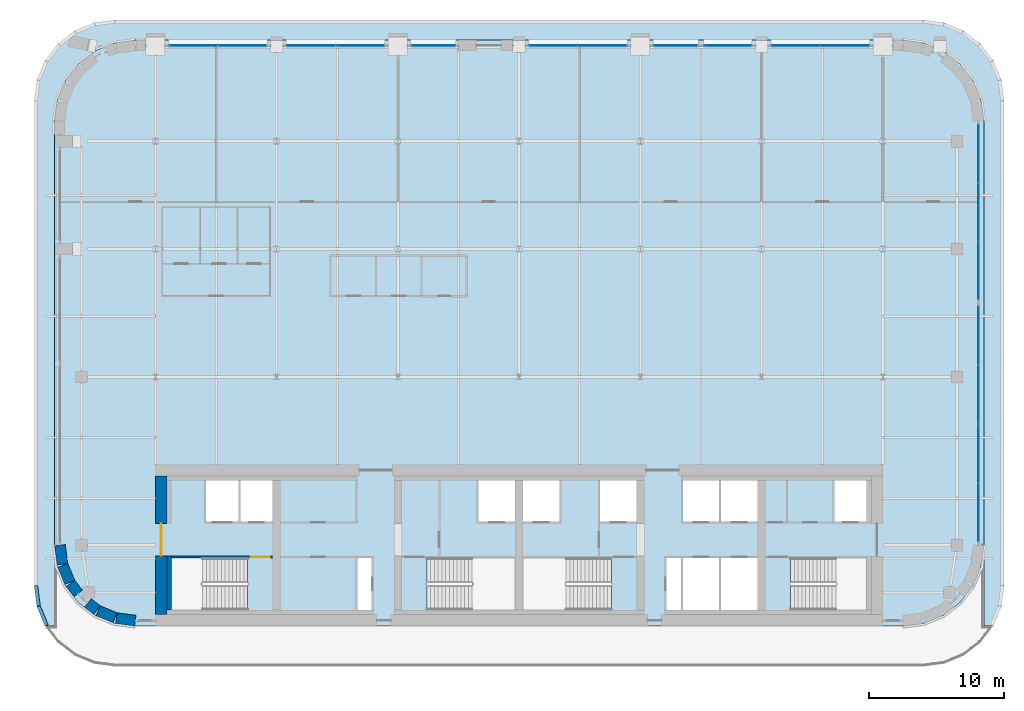
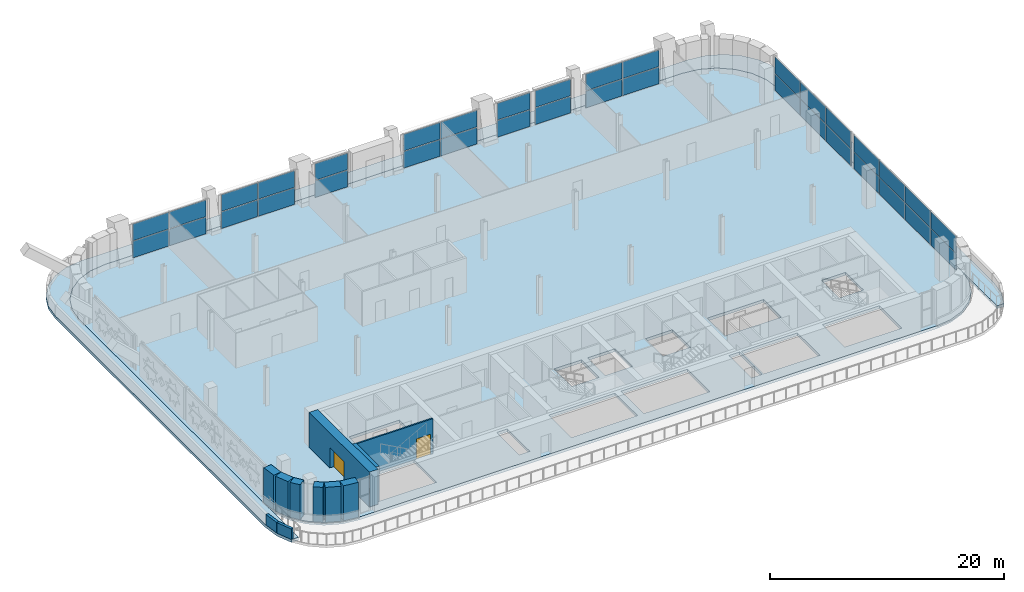
# One storey, part 12 of 23: 36 plates, 11 walls, 2 doors, 2 slabs, 2 openings, 9 elements without a shape of their own.
"""IFC4 building model written with IfcOpenShell, lengths in metres."""

from ifc_helpers import new_model, si_unit, direction, frame, frame_2d, origin, origin_2d, place, context, subcontext, project, spatial, polyline, rectangle, outline, extrude, material, layer, layer_set, type_object, element, fill, aggregate, save


model = new_model("IFC4")

# Units and contexts
model_context = context("Model", 3, precision=1e-05, world=origin(), true_north=direction((0.0, 1.0)))
body_context = subcontext(model_context, "Body", "Model", "MODEL_VIEW")
ifc_project = project(units=[si_unit("LENGTHUNIT", "METRE"), si_unit("AREAUNIT", "SQUARE_METRE"), si_unit("VOLUMEUNIT", "CUBIC_METRE"), si_unit("PLANEANGLEUNIT", "RADIAN"), si_unit("MASSUNIT", "GRAM", prefix="KILO")], contexts=[model_context])

# Site, building, storey
site_placement = place(None, origin())
site = spatial("IfcSite", under=ifc_project, at=site_placement, CompositionType="ELEMENT")
building_placement = place(site_placement, origin())
building = spatial("IfcBuilding", under=site, at=building_placement, Name="Zellij Exchange Tower", CompositionType="ELEMENT")
storey_placement = place(building_placement, frame((0.0, 0.0, 212.5)))
storey = spatial("IfcBuildingStorey", under=building, at=storey_placement, Name="L49", CompositionType="ELEMENT", Elevation=212.5)

# Curtain wall, plates
ifc_material_1 = material(Name="Aluminium frame, clear insulating glass", Category="aluminium")
curtain_wall_type = type_object("IfcCurtainWallType", Name="ENV-CW6 Sky-lobby glazing", PredefinedType="NOTDEFINED", material=ifc_material_1)
curtain_wall_1_placement = place(storey_placement, origin())
curtain_wall_1 = element("IfcCurtainWall", 1, at=curtain_wall_1_placement, inside=storey, type_object=curtain_wall_type, Name="cw.L49.07a", PredefinedType="NOTDEFINED")
ifc_material_2 = material(Name="Insulating glass unit, clear", Category="glass")
ifc_layer_1 = layer(ifc_material_2, 0.035888671875)
ifc_layer_set_1 = layer_set([ifc_layer_1], Name="Insulating glass unit, clear")
plate_type = type_object("IfcPlateType", Name="ENV-CW6P Glazed panel 36", PredefinedType="CURTAIN_PANEL", material=ifc_layer_set_1)
plate_1_placement = place(storey_placement, frame((34.10009765625, -5.5625, 0.06005859375), z_axis=(0.0, 0.0, 1.0), x_axis=(0.0, 1.0, 0.0)))
plate_1 = element("IfcPlate", 2, at=plate_1_placement, type_object=plate_type, Name="CW6 panel 1.1", PredefinedType="CURTAIN_PANEL", context=body_context, shape_type="SweptSolid", body=[
    extrude(rectangle(XDim=4.302490234375, YDim=0.035888671875, at=origin_2d()), origin(), (0.0, 0.0, 1.0), 1.735107421875),
])
plate_2_placement = place(storey_placement, frame((34.10009765625, -5.5625, 1.85498046875), z_axis=(0.0, 0.0, 1.0), x_axis=(0.0, 1.0, 0.0)))
plate_2 = element("IfcPlate", 3, at=plate_2_placement, type_object=plate_type, Name="CW6 panel 1.2", PredefinedType="CURTAIN_PANEL", context=body_context, shape_type="SweptSolid", body=[
    extrude(rectangle(XDim=4.302490234375, YDim=0.035888671875, at=origin_2d()), origin(), (0.0, 0.0, 1.0), 1.735107421875),
])
plate_3_placement = place(storey_placement, frame((34.10009765625, -1.18505859375, 0.06005859375), z_axis=(0.0, 0.0, 1.0), x_axis=(0.0, 1.0, 0.0)))
plate_3 = element("IfcPlate", 4, at=plate_3_placement, type_object=plate_type, Name="CW6 panel 2.1", PredefinedType="CURTAIN_PANEL", context=body_context, shape_type="SweptSolid", body=[
    extrude(rectangle(XDim=4.33251953125, YDim=0.035888671875, at=origin_2d()), origin(), (0.0, 0.0, 1.0), 1.735107421875),
])
plate_4_placement = place(storey_placement, frame((34.10009765625, -1.18505859375, 1.85498046875), z_axis=(0.0, 0.0, 1.0), x_axis=(0.0, 1.0, 0.0)))
plate_4 = element("IfcPlate", 5, at=plate_4_placement, type_object=plate_type, Name="CW6 panel 2.2", PredefinedType="CURTAIN_PANEL", context=body_context, shape_type="SweptSolid", body=[
    extrude(rectangle(XDim=4.33251953125, YDim=0.035888671875, at=origin_2d()), origin(), (0.0, 0.0, 1.0), 1.735107421875),
])
plate_5_placement = place(storey_placement, frame((34.10009765625, 3.20751953125, 0.06005859375), z_axis=(0.0, 0.0, 1.0), x_axis=(0.0, 1.0, 0.0)))
plate_5 = element("IfcPlate", 6, at=plate_5_placement, type_object=plate_type, Name="CW6 panel 3.1", PredefinedType="CURTAIN_PANEL", context=body_context, shape_type="SweptSolid", body=[
    extrude(rectangle(XDim=4.33251953125, YDim=0.035888671875, at=origin_2d()), origin(), (0.0, 0.0, 1.0), 1.735107421875),
])
plate_6_placement = place(storey_placement, frame((34.10009765625, 3.20751953125, 1.85498046875), z_axis=(0.0, 0.0, 1.0), x_axis=(0.0, 1.0, 0.0)))
plate_6 = element("IfcPlate", 7, at=plate_6_placement, type_object=plate_type, Name="CW6 panel 3.2", PredefinedType="CURTAIN_PANEL", context=body_context, shape_type="SweptSolid", body=[
    extrude(rectangle(XDim=4.33251953125, YDim=0.035888671875, at=origin_2d()), origin(), (0.0, 0.0, 1.0), 1.735107421875),
])
plate_7_placement = place(storey_placement, frame((34.10009765625, 7.5849609375, 0.06005859375), z_axis=(0.0, 0.0, 1.0), x_axis=(0.0, 1.0, 0.0)))
plate_7 = element("IfcPlate", 8, at=plate_7_placement, type_object=plate_type, Name="CW6 panel 4.1", PredefinedType="CURTAIN_PANEL", context=body_context, shape_type="SweptSolid", body=[
    extrude(rectangle(XDim=4.302490234375, YDim=0.035888671875, at=origin_2d()), origin(), (0.0, 0.0, 1.0), 1.735107421875),
])
plate_8_placement = place(storey_placement, frame((34.10009765625, 7.5849609375, 1.85498046875), z_axis=(0.0, 0.0, 1.0), x_axis=(0.0, 1.0, 0.0)))
plate_8 = element("IfcPlate", 9, at=plate_8_placement, type_object=plate_type, Name="CW6 panel 4.2", PredefinedType="CURTAIN_PANEL", context=body_context, shape_type="SweptSolid", body=[
    extrude(rectangle(XDim=4.302490234375, YDim=0.035888671875, at=origin_2d()), origin(), (0.0, 0.0, 1.0), 1.735107421875),
])
aggregate(curtain_wall_1, [plate_1, plate_2, plate_3, plate_4, plate_5, plate_6, plate_7, plate_8])

curtain_wall_2_placement = place(storey_placement, origin())
curtain_wall_2 = element("IfcCurtainWall", 10, at=curtain_wall_2_placement, inside=storey, type_object=curtain_wall_type, Name="cw.L49.07b", PredefinedType="NOTDEFINED")
plate_9_placement = place(storey_placement, frame((34.10009765625, 12.390869140625, 0.06005859375), z_axis=(0.0, 0.0, 1.0), x_axis=(0.0, 1.0, 0.0)))
plate_9 = element("IfcPlate", 11, at=plate_9_placement, type_object=plate_type, Name="CW6 panel 1.1", PredefinedType="CURTAIN_PANEL", context=body_context, shape_type="SweptSolid", body=[
    extrude(rectangle(XDim=4.269287109375, YDim=0.035888671875, at=origin_2d()), origin(), (0.0, 0.0, 1.0), 1.735107421875),
])
plate_10_placement = place(storey_placement, frame((34.10009765625, 12.390869140625, 1.85498046875), z_axis=(0.0, 0.0, 1.0), x_axis=(0.0, 1.0, 0.0)))
plate_10 = element("IfcPlate", 12, at=plate_10_placement, type_object=plate_type, Name="CW6 panel 1.2", PredefinedType="CURTAIN_PANEL", context=body_context, shape_type="SweptSolid", body=[
    extrude(rectangle(XDim=4.269287109375, YDim=0.035888671875, at=origin_2d()), origin(), (0.0, 0.0, 1.0), 1.735107421875),
])
plate_11_placement = place(storey_placement, frame((34.10009765625, 16.735107421875, 0.06005859375), z_axis=(0.0, 0.0, 1.0), x_axis=(0.0, 1.0, 0.0)))
plate_11 = element("IfcPlate", 13, at=plate_11_placement, type_object=plate_type, Name="CW6 panel 2.1", PredefinedType="CURTAIN_PANEL", context=body_context, shape_type="SweptSolid", body=[
    extrude(rectangle(XDim=4.29931640625, YDim=0.035888671875, at=origin_2d()), origin(), (0.0, 0.0, 1.0), 1.735107421875),
])
plate_12_placement = place(storey_placement, frame((34.10009765625, 16.735107421875, 1.85498046875), z_axis=(0.0, 0.0, 1.0), x_axis=(0.0, 1.0, 0.0)))
plate_12 = element("IfcPlate", 14, at=plate_12_placement, type_object=plate_type, Name="CW6 panel 2.2", PredefinedType="CURTAIN_PANEL", context=body_context, shape_type="SweptSolid", body=[
    extrude(rectangle(XDim=4.29931640625, YDim=0.035888671875, at=origin_2d()), origin(), (0.0, 0.0, 1.0), 1.735107421875),
])
plate_13_placement = place(storey_placement, frame((34.10009765625, 21.0791015625, 0.06005859375), z_axis=(0.0, 0.0, 1.0), x_axis=(0.0, 1.0, 0.0)))
plate_13 = element("IfcPlate", 15, at=plate_13_placement, type_object=plate_type, Name="CW6 panel 3.1", PredefinedType="CURTAIN_PANEL", context=body_context, shape_type="SweptSolid", body=[
    extrude(rectangle(XDim=4.269287109375, YDim=0.035888671875, at=origin_2d()), origin(), (0.0, 0.0, 1.0), 1.735107421875),
])
plate_14_placement = place(storey_placement, frame((34.10009765625, 21.0791015625, 1.85498046875), z_axis=(0.0, 0.0, 1.0), x_axis=(0.0, 1.0, 0.0)))
plate_14 = element("IfcPlate", 16, at=plate_14_placement, type_object=plate_type, Name="CW6 panel 3.2", PredefinedType="CURTAIN_PANEL", context=body_context, shape_type="SweptSolid", body=[
    extrude(rectangle(XDim=4.269287109375, YDim=0.035888671875, at=origin_2d()), origin(), (0.0, 0.0, 1.0), 1.735107421875),
])
aggregate(curtain_wall_2, [plate_9, plate_10, plate_11, plate_12, plate_13, plate_14])

curtain_wall_3_placement = place(storey_placement, origin())
curtain_wall_3 = element("IfcCurtainWall", 17, at=curtain_wall_3_placement, inside=storey, type_object=curtain_wall_type, Name="cw.L49.14b", PredefinedType="NOTDEFINED")
plate_15_placement = place(storey_placement, frame((24.197509765625, 29.10009765625, 0.06005859375), z_axis=(0.0, 0.0, 1.0), x_axis=(-1.0, 0.0, 0.0)))
plate_15 = element("IfcPlate", 18, at=plate_15_placement, type_object=plate_type, Name="CW6 panel 1.1", PredefinedType="CURTAIN_PANEL", context=body_context, shape_type="SweptSolid", body=[
    extrude(rectangle(XDim=3.5849609375, YDim=0.035888671875, at=origin_2d()), origin(), (0.0, 0.0, 1.0), 1.735107421875),
])
plate_16_placement = place(storey_placement, frame((24.197509765625, 29.10009765625, 1.85498046875), z_axis=(0.0, 0.0, 1.0), x_axis=(-1.0, 0.0, 0.0)))
plate_16 = element("IfcPlate", 19, at=plate_16_placement, type_object=plate_type, Name="CW6 panel 1.2", PredefinedType="CURTAIN_PANEL", context=body_context, shape_type="SweptSolid", body=[
    extrude(rectangle(XDim=3.5849609375, YDim=0.035888671875, at=origin_2d()), origin(), (0.0, 0.0, 1.0), 1.735107421875),
])
plate_17_placement = place(storey_placement, frame((20.552490234375, 29.10009765625, 0.06005859375), z_axis=(0.0, 0.0, 1.0), x_axis=(-1.0, 0.0, 0.0)))
plate_17 = element("IfcPlate", 20, at=plate_17_placement, type_object=plate_type, Name="CW6 panel 2.1", PredefinedType="CURTAIN_PANEL", context=body_context, shape_type="SweptSolid", body=[
    extrude(rectangle(XDim=3.5849609375, YDim=0.035888671875, at=origin_2d()), origin(), (0.0, 0.0, 1.0), 1.735107421875),
])
plate_18_placement = place(storey_placement, frame((20.552490234375, 29.10009765625, 1.85498046875), z_axis=(0.0, 0.0, 1.0), x_axis=(-1.0, 0.0, 0.0)))
plate_18 = element("IfcPlate", 21, at=plate_18_placement, type_object=plate_type, Name="CW6 panel 2.2", PredefinedType="CURTAIN_PANEL", context=body_context, shape_type="SweptSolid", body=[
    extrude(rectangle(XDim=3.5849609375, YDim=0.035888671875, at=origin_2d()), origin(), (0.0, 0.0, 1.0), 1.735107421875),
])
aggregate(curtain_wall_3, [plate_15, plate_16, plate_17, plate_18])

curtain_wall_4_placement = place(storey_placement, origin())
curtain_wall_4 = element("IfcCurtainWall", 22, at=curtain_wall_4_placement, inside=storey, type_object=curtain_wall_type, Name="cw.L49.14c", PredefinedType="NOTDEFINED")
plate_19_placement = place(storey_placement, frame((15.5, 29.10009765625, 0.06005859375), z_axis=(0.0, 0.0, 1.0), x_axis=(-1.0, 0.0, 0.0)))
plate_19 = element("IfcPlate", 23, at=plate_19_placement, type_object=plate_type, Name="CW6 panel 1.1", PredefinedType="CURTAIN_PANEL", context=body_context, shape_type="SweptSolid", body=[
    extrude(rectangle(XDim=3.47998046875, YDim=0.035888671875, at=origin_2d()), origin(), (0.0, 0.0, 1.0), 1.735107421875),
])
plate_20_placement = place(storey_placement, frame((15.5, 29.10009765625, 1.85498046875), z_axis=(0.0, 0.0, 1.0), x_axis=(-1.0, 0.0, 0.0)))
plate_20 = element("IfcPlate", 24, at=plate_20_placement, type_object=plate_type, Name="CW6 panel 1.2", PredefinedType="CURTAIN_PANEL", context=body_context, shape_type="SweptSolid", body=[
    extrude(rectangle(XDim=3.47998046875, YDim=0.035888671875, at=origin_2d()), origin(), (0.0, 0.0, 1.0), 1.735107421875),
])
aggregate(curtain_wall_4, [plate_19, plate_20])

curtain_wall_5_placement = place(storey_placement, origin())
curtain_wall_5 = element("IfcCurtainWall", 25, at=curtain_wall_5_placement, inside=storey, type_object=curtain_wall_type, Name="cw.L49.14d", PredefinedType="NOTDEFINED")
plate_21_placement = place(storey_placement, frame((11.625, 29.10009765625, 0.06005859375), z_axis=(0.0, 0.0, 1.0), x_axis=(-1.0, 0.0, 0.0)))
plate_21 = element("IfcPlate", 26, at=plate_21_placement, type_object=plate_type, Name="CW6 panel 1.1", PredefinedType="CURTAIN_PANEL", context=body_context, shape_type="SweptSolid", body=[
    extrude(rectangle(XDim=3.22998046875, YDim=0.035888671875, at=origin_2d()), origin(), (0.0, 0.0, 1.0), 1.735107421875),
])
plate_22_placement = place(storey_placement, frame((11.625, 29.10009765625, 1.85498046875), z_axis=(0.0, 0.0, 1.0), x_axis=(-1.0, 0.0, 0.0)))
plate_22 = element("IfcPlate", 27, at=plate_22_placement, type_object=plate_type, Name="CW6 panel 1.2", PredefinedType="CURTAIN_PANEL", context=body_context, shape_type="SweptSolid", body=[
    extrude(rectangle(XDim=3.22998046875, YDim=0.035888671875, at=origin_2d()), origin(), (0.0, 0.0, 1.0), 1.735107421875),
])
aggregate(curtain_wall_5, [plate_21, plate_22])

curtain_wall_6_placement = place(storey_placement, origin())
curtain_wall_6 = element("IfcCurtainWall", 28, at=curtain_wall_6_placement, inside=storey, type_object=curtain_wall_type, Name="cw.L49.14e", PredefinedType="NOTDEFINED")
plate_23_placement = place(storey_placement, frame((6.197509765625, 29.10009765625, 0.06005859375), z_axis=(0.0, 0.0, 1.0), x_axis=(-1.0, 0.0, 0.0)))
plate_23 = element("IfcPlate", 29, at=plate_23_placement, type_object=plate_type, Name="CW6 panel 1.1", PredefinedType="CURTAIN_PANEL", context=body_context, shape_type="SweptSolid", body=[
    extrude(rectangle(XDim=3.5849609375, YDim=0.035888671875, at=origin_2d()), origin(), (0.0, 0.0, 1.0), 1.735107421875),
])
plate_24_placement = place(storey_placement, frame((6.197509765625, 29.10009765625, 1.85498046875), z_axis=(0.0, 0.0, 1.0), x_axis=(-1.0, 0.0, 0.0)))
plate_24 = element("IfcPlate", 30, at=plate_24_placement, type_object=plate_type, Name="CW6 panel 1.2", PredefinedType="CURTAIN_PANEL", context=body_context, shape_type="SweptSolid", body=[
    extrude(rectangle(XDim=3.5849609375, YDim=0.035888671875, at=origin_2d()), origin(), (0.0, 0.0, 1.0), 1.735107421875),
])
plate_25_placement = place(storey_placement, frame((2.552490234375, 29.10009765625, 0.06005859375), z_axis=(0.0, 0.0, 1.0), x_axis=(-1.0, 0.0, 0.0)))
plate_25 = element("IfcPlate", 31, at=plate_25_placement, type_object=plate_type, Name="CW6 panel 2.1", PredefinedType="CURTAIN_PANEL", context=body_context, shape_type="SweptSolid", body=[
    extrude(rectangle(XDim=3.5849609375, YDim=0.035888671875, at=origin_2d()), origin(), (0.0, 0.0, 1.0), 1.735107421875),
])
plate_26_placement = place(storey_placement, frame((2.552490234375, 29.10009765625, 1.85498046875), z_axis=(0.0, 0.0, 1.0), x_axis=(-1.0, 0.0, 0.0)))
plate_26 = element("IfcPlate", 32, at=plate_26_placement, type_object=plate_type, Name="CW6 panel 2.2", PredefinedType="CURTAIN_PANEL", context=body_context, shape_type="SweptSolid", body=[
    extrude(rectangle(XDim=3.5849609375, YDim=0.035888671875, at=origin_2d()), origin(), (0.0, 0.0, 1.0), 1.735107421875),
])
aggregate(curtain_wall_6, [plate_23, plate_24, plate_25, plate_26])

curtain_wall_7_placement = place(storey_placement, origin())
curtain_wall_7 = element("IfcCurtainWall", 33, at=curtain_wall_7_placement, inside=storey, type_object=curtain_wall_type, Name="cw.L49.14g", PredefinedType="NOTDEFINED")
plate_27_placement = place(storey_placement, frame((-6.375, 29.10009765625, 0.06005859375), z_axis=(0.0, 0.0, 1.0), x_axis=(-1.0, 0.0, 0.0)))
plate_27 = element("IfcPlate", 34, at=plate_27_placement, type_object=plate_type, Name="CW6 panel 1.1", PredefinedType="CURTAIN_PANEL", context=body_context, shape_type="SweptSolid", body=[
    extrude(rectangle(XDim=3.22998046875, YDim=0.035888671875, at=origin_2d()), origin(), (0.0, 0.0, 1.0), 1.735107421875),
])
plate_28_placement = place(storey_placement, frame((-6.375, 29.10009765625, 1.85498046875), z_axis=(0.0, 0.0, 1.0), x_axis=(-1.0, 0.0, 0.0)))
plate_28 = element("IfcPlate", 35, at=plate_28_placement, type_object=plate_type, Name="CW6 panel 1.2", PredefinedType="CURTAIN_PANEL", context=body_context, shape_type="SweptSolid", body=[
    extrude(rectangle(XDim=3.22998046875, YDim=0.035888671875, at=origin_2d()), origin(), (0.0, 0.0, 1.0), 1.735107421875),
])
aggregate(curtain_wall_7, [plate_27, plate_28])

curtain_wall_8_placement = place(storey_placement, origin())
curtain_wall_8 = element("IfcCurtainWall", 36, at=curtain_wall_8_placement, inside=storey, type_object=curtain_wall_type, Name="cw.L49.14h", PredefinedType="NOTDEFINED")
plate_29_placement = place(storey_placement, frame((-11.802490234375, 29.10009765625, 0.06005859375), z_axis=(0.0, 0.0, 1.0), x_axis=(-1.0, 0.0, 0.0)))
plate_29 = element("IfcPlate", 37, at=plate_29_placement, type_object=plate_type, Name="CW6 panel 1.1", PredefinedType="CURTAIN_PANEL", context=body_context, shape_type="SweptSolid", body=[
    extrude(rectangle(XDim=3.5849609375, YDim=0.035888671875, at=origin_2d()), origin(), (0.0, 0.0, 1.0), 1.735107421875),
])
plate_30_placement = place(storey_placement, frame((-11.802490234375, 29.10009765625, 1.85498046875), z_axis=(0.0, 0.0, 1.0), x_axis=(-1.0, 0.0, 0.0)))
plate_30 = element("IfcPlate", 38, at=plate_30_placement, type_object=plate_type, Name="CW6 panel 1.2", PredefinedType="CURTAIN_PANEL", context=body_context, shape_type="SweptSolid", body=[
    extrude(rectangle(XDim=3.5849609375, YDim=0.035888671875, at=origin_2d()), origin(), (0.0, 0.0, 1.0), 1.735107421875),
])
plate_31_placement = place(storey_placement, frame((-15.447509765625, 29.10009765625, 0.06005859375), z_axis=(0.0, 0.0, 1.0), x_axis=(-1.0, 0.0, 0.0)))
plate_31 = element("IfcPlate", 39, at=plate_31_placement, type_object=plate_type, Name="CW6 panel 2.1", PredefinedType="CURTAIN_PANEL", context=body_context, shape_type="SweptSolid", body=[
    extrude(rectangle(XDim=3.5849609375, YDim=0.035888671875, at=origin_2d()), origin(), (0.0, 0.0, 1.0), 1.735107421875),
])
plate_32_placement = place(storey_placement, frame((-15.447509765625, 29.10009765625, 1.85498046875), z_axis=(0.0, 0.0, 1.0), x_axis=(-1.0, 0.0, 0.0)))
plate_32 = element("IfcPlate", 40, at=plate_32_placement, type_object=plate_type, Name="CW6 panel 2.2", PredefinedType="CURTAIN_PANEL", context=body_context, shape_type="SweptSolid", body=[
    extrude(rectangle(XDim=3.5849609375, YDim=0.035888671875, at=origin_2d()), origin(), (0.0, 0.0, 1.0), 1.735107421875),
])
aggregate(curtain_wall_8, [plate_29, plate_30, plate_31, plate_32])

curtain_wall_9_placement = place(storey_placement, origin())
curtain_wall_9 = element("IfcCurtainWall", 41, at=curtain_wall_9_placement, inside=storey, type_object=curtain_wall_type, Name="cw.L49.14i", PredefinedType="NOTDEFINED")
plate_33_placement = place(storey_placement, frame((-20.552490234375, 29.10009765625, 0.06005859375), z_axis=(0.0, 0.0, 1.0), x_axis=(-1.0, 0.0, 0.0)))
plate_33 = element("IfcPlate", 42, at=plate_33_placement, type_object=plate_type, Name="CW6 panel 1.1", PredefinedType="CURTAIN_PANEL", context=body_context, shape_type="SweptSolid", body=[
    extrude(rectangle(XDim=3.5849609375, YDim=0.035888671875, at=origin_2d()), origin(), (0.0, 0.0, 1.0), 1.735107421875),
])
plate_34_placement = place(storey_placement, frame((-20.552490234375, 29.10009765625, 1.85498046875), z_axis=(0.0, 0.0, 1.0), x_axis=(-1.0, 0.0, 0.0)))
plate_34 = element("IfcPlate", 43, at=plate_34_placement, type_object=plate_type, Name="CW6 panel 1.2", PredefinedType="CURTAIN_PANEL", context=body_context, shape_type="SweptSolid", body=[
    extrude(rectangle(XDim=3.5849609375, YDim=0.035888671875, at=origin_2d()), origin(), (0.0, 0.0, 1.0), 1.735107421875),
])
plate_35_placement = place(storey_placement, frame((-24.197509765625, 29.10009765625, 0.06005859375), z_axis=(0.0, 0.0, 1.0), x_axis=(-1.0, 0.0, 0.0)))
plate_35 = element("IfcPlate", 44, at=plate_35_placement, type_object=plate_type, Name="CW6 panel 2.1", PredefinedType="CURTAIN_PANEL", context=body_context, shape_type="SweptSolid", body=[
    extrude(rectangle(XDim=3.5849609375, YDim=0.035888671875, at=origin_2d()), origin(), (0.0, 0.0, 1.0), 1.735107421875),
])
plate_36_placement = place(storey_placement, frame((-24.197509765625, 29.10009765625, 1.85498046875), z_axis=(0.0, 0.0, 1.0), x_axis=(-1.0, 0.0, 0.0)))
plate_36 = element("IfcPlate", 45, at=plate_36_placement, type_object=plate_type, Name="CW6 panel 2.2", PredefinedType="CURTAIN_PANEL", context=body_context, shape_type="SweptSolid", body=[
    extrude(rectangle(XDim=3.5849609375, YDim=0.035888671875, at=origin_2d()), origin(), (0.0, 0.0, 1.0), 1.735107421875),
])
aggregate(curtain_wall_9, [plate_33, plate_34, plate_35, plate_36])

# Slabs
ifc_material_3 = material(Name="Concrete C40/50", Category="concrete")
ifc_layer_2 = layer(ifc_material_3, 0.300048828125)
ifc_layer_set_2 = layer_set([ifc_layer_2], Name="Concrete C40/50")
slab_type_1 = type_object("IfcSlabType", Name="ENV-LEDGE SLAB 300 C40/50", PredefinedType="ROOF", material=ifc_layer_set_2)
slab_1_placement = place(storey_placement, frame((0.0, 0.0, -0.300048828125)))
element("IfcSlab", 46, at=slab_1_placement, inside=storey, type_object=slab_type_1, Name="Ledge slab L49", PredefinedType="ROOF", context=body_context, shape_type="SweptSolid", body=[
    extrude(outline(polyline([(-36.0, -11.0), (-35.795654296875, -12.552978515625), (-35.1962890625, -14.0), (-34.5, -14.0), (-34.5, 23.5), (-34.295654296875, 25.052978515625), (-33.6962890625, 26.5), (-32.74267578125, 27.74267578125), (-31.5, 28.6962890625), (-30.052978515625, 29.295654296875), (-28.5, 29.5), (28.5, 29.5), (30.052978515625, 29.295654296875), (31.5, 28.6962890625), (32.74267578125, 27.74267578125), (33.6962890625, 26.5), (34.295654296875, 25.052978515625), (34.5, 23.5), (34.5, -14.0), (35.1962890625, -14.0), (35.795654296875, -12.552978515625), (36.0, -11.0), (36.0, 25.0), (35.795654296875, 26.552978515625), (35.1962890625, 28.0), (34.24267578125, 29.24267578125), (33.0, 30.1962890625), (31.552978515625, 30.795654296875), (30.0, 31.0), (-30.0, 31.0), (-31.552978515625, 30.795654296875), (-33.0, 30.1962890625), (-34.24267578125, 29.24267578125), (-35.1962890625, 28.0), (-35.795654296875, 26.552978515625), (-36.0, 25.0), (-36.0, -11.0)])), origin(), (0.0, 0.0, 1.0), 0.300048828125),
])
ifc_layer_3 = layer(ifc_material_3, 0.300048828125)
ifc_layer_set_3 = layer_set([ifc_layer_3], Name="Concrete C40/50")
slab_type_2 = type_object("IfcSlabType", Name="STR-FLOOR SLAB 300 C40/50", PredefinedType="FLOOR", material=ifc_layer_set_3)
slab_2_placement = place(storey_placement, frame((0.0, 0.0, -0.300048828125)))
element("IfcSlab", 47, at=slab_2_placement, inside=storey, type_object=slab_type_2, Name="Floor L49", PredefinedType="FLOOR", context=body_context, shape_type="SweptSolid", body=[
    extrude(outline(polyline([(-28.5, -14.0), (-30.052978515625, -13.795654296875), (-31.5, -13.1962890625), (-32.74267578125, -12.24267578125), (-33.6962890625, -11.0), (-34.295654296875, -9.552978515625), (-34.5, -8.0), (-34.5, 23.5), (-34.295654296875, 25.052978515625), (-33.6962890625, 26.5), (-32.74267578125, 27.74267578125), (-31.5, 28.6962890625), (-30.052978515625, 29.295654296875), (-28.5, 29.5), (28.5, 29.5), (30.052978515625, 29.295654296875), (31.5, 28.6962890625), (32.74267578125, 27.74267578125), (33.6962890625, 26.5), (34.295654296875, 25.052978515625), (34.5, 23.5), (34.5, -8.0), (34.295654296875, -9.552978515625), (33.6962890625, -11.0), (32.74267578125, -12.24267578125), (31.5, -13.1962890625), (30.052978515625, -13.795654296875), (28.5, -14.0), (-28.5, -14.0)]), holes=[polyline([(-25.800048828125, -8.949951171875), (-25.800048828125, -12.800048828125), (-20.153076171875, -12.800048828125), (-20.153076171875, -8.949951171875), (-25.800048828125, -8.949951171875)]), polyline([(-10.949951171875, -8.949951171875), (-12.0, -8.949951171875), (-12.0, -12.800048828125), (-10.949951171875, -12.800048828125), (-10.949951171875, -8.949951171875)]), polyline([(-0.300048828125, -8.949951171875), (-6.846923828125, -8.949951171875), (-6.846923828125, -12.800048828125), (-0.300048828125, -12.800048828125), (-0.300048828125, -8.949951171875)]), polyline([(0.300048828125, -8.949951171875), (0.300048828125, -12.800048828125), (6.846923828125, -12.800048828125), (6.846923828125, -8.949951171875), (0.300048828125, -8.949951171875)]), polyline([(-18.300048828125, -3.199951171875), (-23.25, -3.199951171875), (-23.25, -6.22509765625), (-18.300048828125, -6.22509765625), (-18.300048828125, -3.199951171875)]), polyline([(-0.300048828125, -3.199951171875), (-3.0, -3.199951171875), (-3.0, -6.22509765625), (-0.300048828125, -6.22509765625), (-0.300048828125, -3.199951171875)]), polyline([(0.300048828125, -3.199951171875), (0.300048828125, -6.22509765625), (3.0, -6.22509765625), (3.0, -3.199951171875), (0.300048828125, -3.199951171875)]), polyline([(12.0, -8.949951171875), (10.949951171875, -8.949951171875), (10.949951171875, -12.800048828125), (12.0, -12.800048828125), (12.0, -8.949951171875)]), polyline([(17.699951171875, -8.949951171875), (12.14990234375, -8.949951171875), (12.14990234375, -12.800048828125), (17.699951171875, -12.800048828125), (17.699951171875, -8.949951171875)]), polyline([(25.800048828125, -8.949951171875), (20.153076171875, -8.949951171875), (20.153076171875, -12.800048828125), (25.800048828125, -12.800048828125), (25.800048828125, -8.949951171875)]), polyline([(8.699951171875, -3.199951171875), (6.0, -3.199951171875), (6.0, -6.22509765625), (8.699951171875, -6.22509765625), (8.699951171875, -3.199951171875)]), polyline([(17.699951171875, -3.199951171875), (12.14990234375, -3.199951171875), (12.14990234375, -6.22509765625), (17.699951171875, -6.22509765625), (17.699951171875, -3.199951171875)]), polyline([(25.800048828125, -3.199951171875), (23.39990234375, -3.199951171875), (23.39990234375, -6.22509765625), (25.800048828125, -6.22509765625), (25.800048828125, -3.199951171875)])]), origin(), (0.0, 0.0, 1.0), 0.300048828125),
])

# Wall
ifc_material_4 = material(Name="Concrete C30/37", Category="concrete")
ifc_layer_4 = layer(ifc_material_4, 0.35009765625)
ifc_layer_set_4 = layer_set([ifc_layer_4], Name="Concrete C30/37")
wall_type_1 = type_object("IfcWallType", Name="CORE-LW 350 C30/37", PredefinedType="SHEAR", material=ifc_layer_set_4)
wall_1_placement = place(storey_placement, frame((-25.97509765625, -12.800048828125, 0.0), z_axis=(0.0, 0.0, 1.0), x_axis=(0.0, 1.0, 0.0)))
element("IfcWall", 48, at=wall_1_placement, inside=storey, type_object=wall_type_1, Name="Core wall lining end w.0 L49", PredefinedType="SHEAR", context=body_context, shape_type="SweptSolid", body=[
    extrude(rectangle(XDim=4.0, YDim=0.35009765625, at=frame_2d((2.0, 0.0))), origin(), (0.0, 0.0, 1.0), 3.64990234375),
])

# Wall, opening, door
ifc_material_5 = material(Name="Concrete C60/75", Category="concrete")
ifc_layer_5 = layer(ifc_material_5, 0.85009765625)
ifc_layer_set_5 = layer_set([ifc_layer_5], Name="Concrete C60/75")
wall_type_2 = type_object("IfcWallType", Name="CORE-SW 850 C60/75", PredefinedType="SHEAR", material=ifc_layer_set_5)
wall_2_placement = place(storey_placement, frame((-26.574951171875, -13.14990234375, 0.0), z_axis=(0.0, 0.0, 1.0), x_axis=(0.0, 1.0, 0.0)))
wall_2 = element("IfcWall", 49, at=wall_2_placement, inside=storey, type_object=wall_type_2, Name="Core shear wall end w L49", PredefinedType="SHEAR", context=body_context, shape_type="SweptSolid", body=[
    extrude(rectangle(XDim=10.2998046875, YDim=0.85009765625, at=frame_2d((5.14990234375, 0.0))), origin(), (0.0, 0.0, 1.0), 3.64990234375),
])
opening_1_placement = place(wall_2_placement, frame((4.362060546875, 0.0, 0.0)))
opening_1 = element("IfcOpeningElement", 50, at=opening_1_placement, cuts=wall_2, Name="Opening CA-26.01", PredefinedType="OPENING", context=body_context, shape_type="SweptSolid", body=[
    extrude(rectangle(XDim=2.39990234375, YDim=2.10009765625, at=frame_2d((1.199951171875, 1.050048828125))), frame((0.0, 0.43701171875, 0.0), z_axis=(0.0, -1.0, 0.0), x_axis=(1.0, 0.0, 0.0)), (0.0, 0.0, 1.0), 0.8740234375),
])
ifc_material_6 = material(Name="Hollow metal fire door")
door_type_1 = type_object("IfcDoorType", Name="CORE-D CE Core entrance door 2400x2100 20 MIN", OperationType="NOTDEFINED", PredefinedType="DOOR", material=ifc_material_6)
door_1_placement = place(opening_1_placement, origin())
door_1 = element("IfcDoor", 51, at=door_1_placement, inside=storey, type_object=door_type_1, Name="Core entrance door CA-26.01", OperationType="DOUBLE_DOOR_SINGLE_SWING", OverallHeight=2.10009765625, OverallWidth=2.39990234375, PredefinedType="DOOR", context=body_context, shape_type="SweptSolid", body=[
    extrude(rectangle(XDim=2.39990234375, YDim=2.10009765625, at=frame_2d((1.199951171875, 1.050048828125))), frame((0.0, 0.02490234375, 0.0), z_axis=(0.0, -1.0, 0.0), x_axis=(1.0, 0.0, 0.0)), (0.0, 0.0, 1.0), 0.050048828125),
])
fill(opening_1, door_1)

ifc_layer_6 = layer(ifc_material_5, 0.14990234375)
ifc_layer_set_6 = layer_set([ifc_layer_6], Name="Concrete C60/75")
wall_type_3 = type_object("IfcWallType", Name="CORE-SWS 150 C60/75", PredefinedType="SHEAR", material=ifc_layer_set_6)
wall_3_placement = place(storey_placement, frame((-25.800048828125, -8.875, 0.0), z_axis=(0.0, 0.0, 1.0), x_axis=(1.0, 0.0, 0.0)))
wall_3 = element("IfcWall", 52, at=wall_3_placement, inside=storey, type_object=wall_type_3, Name="Stair enclosure wall L49", PredefinedType="SHEAR", context=body_context, shape_type="SweptSolid", body=[
    extrude(rectangle(XDim=7.5, YDim=0.14990234375, at=frame_2d((3.75, 0.0))), origin(), (0.0, 0.0, 1.0), 3.64990234375),
])
opening_2_placement = place(wall_3_placement, frame((5.875, 0.0, 0.0)))
opening_2 = element("IfcOpeningElement", 53, at=opening_2_placement, cuts=wall_3, Name="Opening CA-26.04", PredefinedType="OPENING", context=body_context, shape_type="SweptSolid", body=[
    extrude(rectangle(XDim=1.39990234375, YDim=2.10009765625, at=frame_2d((0.699951171875, 1.050048828125))), frame((0.0, 0.0869140625, 0.0), z_axis=(0.0, -1.0, 0.0), x_axis=(1.0, 0.0, 0.0)), (0.0, 0.0, 1.0), 0.173828125),
])
door_type_2 = type_object("IfcDoorType", Name="CORE-D SD Stair door 1400x2100 1.5 HR", OperationType="NOTDEFINED", PredefinedType="DOOR", material=ifc_material_6)
door_2_placement = place(opening_2_placement, origin())
door_2 = element("IfcDoor", 54, at=door_2_placement, inside=storey, type_object=door_type_2, Name="Stair door CA-26.04", OperationType="DOUBLE_DOOR_SINGLE_SWING", OverallHeight=2.10009765625, OverallWidth=1.39990234375, PredefinedType="DOOR", context=body_context, shape_type="SweptSolid", body=[
    extrude(rectangle(XDim=1.39990234375, YDim=2.10009765625, at=frame_2d((0.699951171875, 1.050048828125))), frame((0.0, 0.02490234375, 0.0), z_axis=(0.0, -1.0, 0.0), x_axis=(1.0, 0.0, 0.0)), (0.0, 0.0, 1.0), 0.050048828125),
])
fill(opening_2, door_2)

# Walls
ifc_material_7 = material(Name="Precast concrete C40/50", Category="concrete")
ifc_layer_7 = layer(ifc_material_7, 0.800048828125)
ifc_layer_set_7 = layer_set([ifc_layer_7], Name="Precast concrete C40/50")
wall_type_4 = type_object("IfcWallType", Name="ENV-EW1 Precast stone-piered wall 800", PredefinedType="SOLIDWALL", material=ifc_layer_set_7)
wall_4_placement = place(storey_placement, frame((-34.0966796875, -7.999755859375, 0.0), z_axis=(0.0, 0.0, 1.0), x_axis=(0.130517283865, -0.99144603414, 0.0)))
element("IfcWall", 55, at=wall_4_placement, inside=storey, type_object=wall_type_4, Name="fac.L49.22", PredefinedType="SOLIDWALL", context=body_context, shape_type="SweptSolid", body=[
    extrude(rectangle(XDim=1.408447265625, YDim=0.800048828125, at=frame_2d((0.7041015625, 0.0))), origin(), (0.0, 0.0, 1.0), 3.64990234375),
])
wall_5_placement = place(storey_placement, frame((-33.8857421875, -9.497314453125, 0.0), z_axis=(0.0, 0.0, 1.0), x_axis=(0.38276009378, -0.923847774587, 0.0)))
element("IfcWall", 56, at=wall_5_placement, inside=storey, type_object=wall_type_4, Name="fac.L49.23", PredefinedType="SOLIDWALL", context=body_context, shape_type="SweptSolid", body=[
    extrude(rectangle(XDim=1.35546875, YDim=0.800048828125, at=frame_2d((0.677734375, 0.0))), origin(), (0.0, 0.0, 1.0), 3.64990234375),
])
wall_6_placement = place(storey_placement, frame((-33.314697265625, -10.840087890625, 0.0), z_axis=(0.0, 0.0, 1.0), x_axis=(0.608772738221, -0.793344662299, 0.0)))
element("IfcWall", 57, at=wall_6_placement, inside=storey, type_object=wall_type_4, Name="fac.L49.24", PredefinedType="SOLIDWALL", context=body_context, shape_type="SweptSolid", body=[
    extrude(rectangle(XDim=0.93115234375, YDim=0.800048828125, at=frame_2d((0.465576171875, 0.0))), origin(), (0.0, 0.0, 1.0), 3.64990234375),
])
wall_7_placement = place(storey_placement, frame((-32.013671875, -12.2978515625, 0.0), z_axis=(0.0, 0.0, 1.0), x_axis=(0.793361000707, -0.608751445631, 0.0)))
element("IfcWall", 58, at=wall_7_placement, inside=storey, type_object=wall_type_4, Name="fac.L49.25", PredefinedType="SOLIDWALL", context=body_context, shape_type="SweptSolid", body=[
    extrude(rectangle(XDim=0.84912109375, YDim=0.800048828125, at=frame_2d((0.424560546875, 0.0))), origin(), (0.0, 0.0, 1.0), 3.64990234375),
])
wall_8_placement = place(storey_placement, frame((-31.24951171875, -12.866943359375, 0.0), z_axis=(0.0, 0.0, 1.0), x_axis=(0.923847774587, -0.38276009378, 0.0)))
element("IfcWall", 59, at=wall_8_placement, inside=storey, type_object=wall_type_4, Name="fac.L49.26", PredefinedType="SOLIDWALL", context=body_context, shape_type="SweptSolid", body=[
    extrude(rectangle(XDim=1.35546875, YDim=0.800048828125, at=frame_2d((0.677734375, 0.0))), origin(), (0.0, 0.0, 1.0), 3.64990234375),
])
wall_9_placement = place(storey_placement, frame((-29.896240234375, -13.412841796875, 0.0), z_axis=(0.0, 0.0, 1.0), x_axis=(0.99144603414, -0.130517283865, 0.0)))
element("IfcWall", 60, at=wall_9_placement, inside=storey, type_object=wall_type_4, Name="fac.L49.27", PredefinedType="SOLIDWALL", context=body_context, shape_type="SweptSolid", body=[
    extrude(rectangle(XDim=1.408447265625, YDim=0.800048828125, at=frame_2d((0.7041015625, 0.0))), origin(), (0.0, 0.0, 1.0), 3.64990234375),
])
ifc_layer_8 = layer(ifc_material_7, 0.25)
ifc_layer_set_8 = layer_set([ifc_layer_8], Name="Precast concrete C40/50")
wall_type_5 = type_object("IfcWallType", Name="ENV-PR1 Parapet 250", PredefinedType="PARAPET", material=ifc_layer_set_8)
wall_10_placement = place(storey_placement, frame((-35.873779296875, -11.0, 0.0), z_axis=(0.0, 0.0, 1.0), x_axis=(0.130371242108, -0.991465248625, 0.0)))
element("IfcWall", 61, at=wall_10_placement, inside=storey, type_object=wall_type_5, Name="fac.par.L49.02.01.18", PredefinedType="PARAPET", context=body_context, shape_type="SweptSolid", body=[
    extrude(rectangle(XDim=1.516845703125, YDim=0.25, at=frame_2d((0.75830078125, 0.0))), origin(), (0.0, 0.0, 1.0), 1.10009765625),
])
wall_11_placement = place(storey_placement, frame((-35.66748046875, -12.535400390625, 0.0), z_axis=(0.0, 0.0, 1.0), x_axis=(0.382590843138, -0.923917878789, 0.0)))
element("IfcWall", 62, at=wall_11_placement, inside=storey, type_object=wall_type_5, Name="fac.par.L49.02.01.19", PredefinedType="PARAPET", context=body_context, shape_type="SweptSolid", body=[
    extrude(rectangle(XDim=1.533447265625, YDim=0.25, at=frame_2d((0.7666015625, 0.0))), origin(), (0.0, 0.0, 1.0), 1.10009765625),
])

save(model, "model.ifc")
